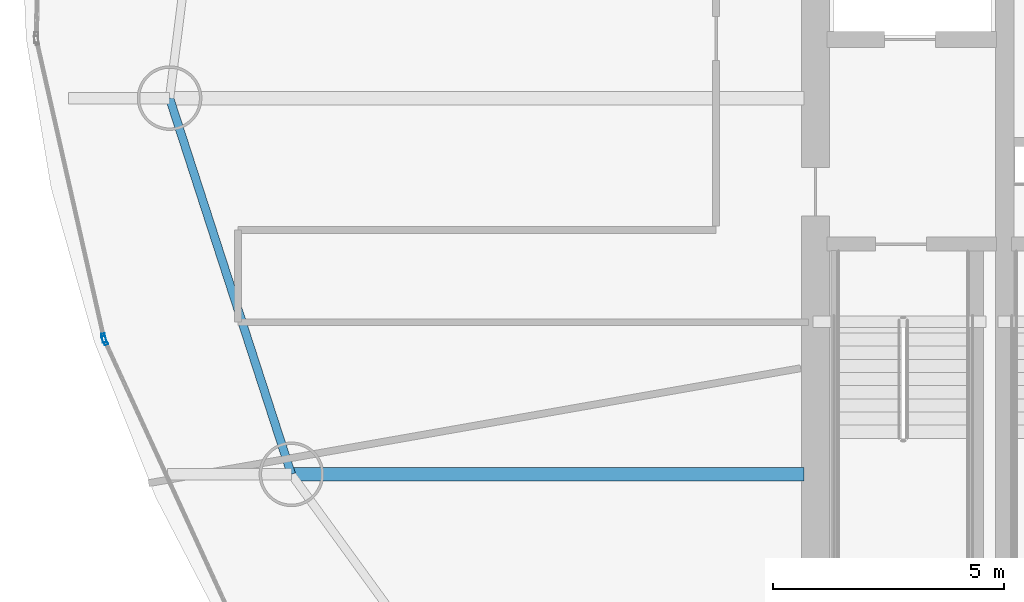
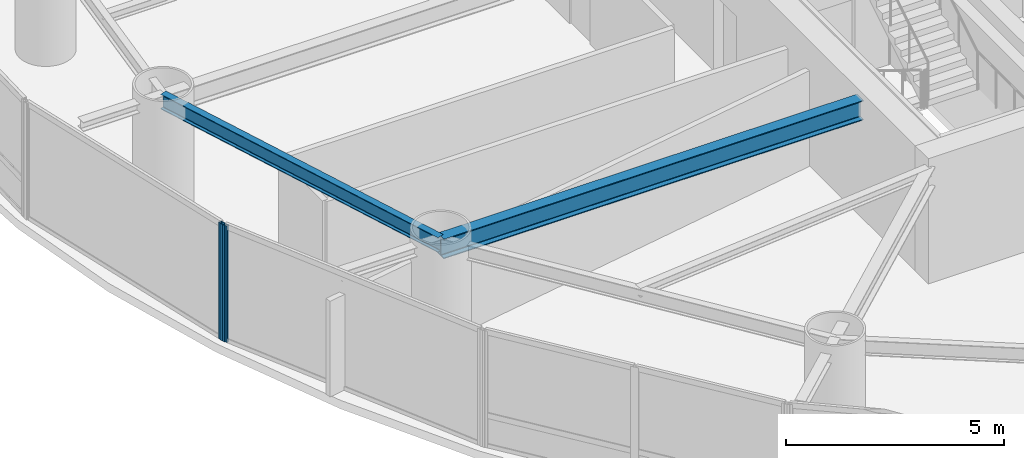
# One storey, part 5 of 20: 2 beams, 2 members, 2 elements without a shape of their own.
"""IFC4 building model written with IfcOpenShell, lengths in metres."""

from ifc_helpers import new_model, si_unit, direction, frame, origin, origin_2d, place, context, subcontext, project, spatial, hollow_rectangle, i_section, extrude, material, layer, layer_set, material_profile, profile_set, type_object, element, aggregate, save


model = new_model("IFC4")

# Units and contexts
model_context = context("Model", 3, precision=1e-05, world=origin(), true_north=direction((0.0, 1.0)))
body_context = subcontext(model_context, "Body", "Model", "MODEL_VIEW")
ifc_project = project(units=[si_unit("LENGTHUNIT", "METRE"), si_unit("AREAUNIT", "SQUARE_METRE"), si_unit("VOLUMEUNIT", "CUBIC_METRE"), si_unit("PLANEANGLEUNIT", "RADIAN"), si_unit("MASSUNIT", "GRAM", prefix="KILO")], contexts=[model_context])

# Site, building, storey
site_placement = place(None, origin())
site = spatial("IfcSite", under=ifc_project, at=site_placement, CompositionType="ELEMENT")
building_placement = place(site_placement, origin())
building = spatial("IfcBuilding", under=site, at=building_placement, Name="Bramvorn Convention Spire", CompositionType="ELEMENT")
storey_placement = place(building_placement, frame((0.0, 0.0, 155.300048828125)))
storey = spatial("IfcBuildingStorey", under=building, at=storey_placement, Name="L39", CompositionType="ELEMENT", Elevation=155.300048828125)

# Beams
ifc_material_1 = material(Name="Steel CSA G40.21 Grade 350 (350W)", Category="steel")
ifc_material_profile_1 = material_profile(ifc_material_1, i_section(OverallWidth=0.180908203125, OverallDepth=0.4169921875, WebThickness=0.010986328125, FlangeThickness=0.018310546875, FilletRadius=0.01611328125, at=origin_2d()))
ifc_profile_set_1 = profile_set([ifc_material_profile_1], Name="Steel CSA G40.21 Grade 350 (350W) - W410X85")
beam_type_1 = type_object("IfcBeamType", Name="BM-W410X85", PredefinedType="JOIST", material=ifc_profile_set_1)
beam_1_placement = place(storey_placement, frame((13.016357421875, 29.851806640625, 3.051513671875), z_axis=(0.308114853612, -0.951349166701, 0.0), x_axis=(0.951349166701, 0.308114853612, 0.0)))
element("IfcBeam", 1, at=beam_1_placement, inside=storey, type_object=beam_type_1, Name="L39 mega-column ring beam 10", PredefinedType="JOIST", context=body_context, shape_type="SweptSolid", body=[
    extrude(i_section(OverallWidth=0.180908203125, OverallDepth=0.4169921875, WebThickness=0.010986328125, FlangeThickness=0.018310546875, FilletRadius=0.01611328125, at=origin_2d()), origin(), (0.0, 0.0, 1.0), 8.5615234375),
])
ifc_material_profile_2 = material_profile(ifc_material_1, i_section(OverallWidth=0.2919921875, OverallDepth=0.551025390625, WebThickness=0.01513671875, FlangeThickness=0.0244140625, FilletRadius=0.01904296875, at=origin_2d()))
ifc_profile_set_2 = profile_set([ifc_material_profile_2], Name="Steel CSA G40.21 Grade 350 (350W) - W530X182")
beam_type_2 = type_object("IfcBeamType", Name="BM-W530X182", PredefinedType="BEAM", material=ifc_profile_set_2)
beam_2_placement = place(storey_placement, frame((26.75, 21.706787109375, 2.984375), z_axis=(-1.0, 0.0, 0.0), x_axis=(0.0, -1.0, 0.0)))
element("IfcBeam", 2, at=beam_2_placement, inside=storey, type_object=beam_type_2, Name="L39 radial floor girder MC11", PredefinedType="BEAM", context=body_context, shape_type="SweptSolid", body=[
    extrude(i_section(OverallWidth=0.2919921875, OverallDepth=0.551025390625, WebThickness=0.01513671875, FlangeThickness=0.0244140625, FilletRadius=0.01904296875, at=origin_2d()), origin(), (0.0, 0.0, 1.0), 11.095703125),
])

# Curtain wall, member
ifc_material_2 = material(Name="Anodised Bronze Unitised Curtain Wall", Category="aluminium")
ifc_layer = layer(ifc_material_2, 0.179931640625)
ifc_layer_set = layer_set([ifc_layer], Name="Anodised Bronze Unitised Curtain Wall - CW-HTL-FRIT")
curtain_wall_type = type_object("IfcCurtainWallType", Name="CW-HTL-FRIT", PredefinedType="USERDEFINED", material=ifc_layer_set)
curtain_wall_1_placement = place(storey_placement, origin())
curtain_wall_1 = element("IfcCurtainWall", 3, at=curtain_wall_1_placement, inside=storey, type_object=curtain_wall_type, Name="L39 fritted glass curtain wall 15", ObjectType="UNITISED CURTAIN WALL", PredefinedType="USERDEFINED")
ifc_material_3 = material(Name="Anodised Bronze Aluminium 6063-T6", Category="aluminium")
ifc_material_profile_3 = material_profile(ifc_material_3, hollow_rectangle(XDim=0.080078125, YDim=0.199951171875, WallThickness=0.00390625, InnerFilletRadius=0.0009765625, OuterFilletRadius=0.00390625, at=origin_2d()))
ifc_profile_set_3 = profile_set([ifc_material_profile_3], Name="Anodised Bronze Aluminium 6063-T6 - CWM80X200")
member_type = type_object("IfcMemberType", Name="CW-MUL-180", PredefinedType="MULLION", material=ifc_profile_set_3)
member_1_placement = place(storey_placement, frame((11.592529296875, 24.65869140625, 0.0), z_axis=(0.0, 0.0, 1.0), x_axis=(-0.975392313454, -0.220476381627, 0.0)))
member_1 = element("IfcMember", 4, at=member_1_placement, type_object=member_type, Name="CW2 mullion 1", PredefinedType="MULLION", context=body_context, shape_type="SweptSolid", body=[
    extrude(hollow_rectangle(XDim=0.080078125, YDim=0.199951171875, WallThickness=0.00390625, InnerFilletRadius=0.0009765625, OuterFilletRadius=0.00390625, at=origin_2d()), origin(), (0.0, 0.0, 1.0), 3.260009765625),
])
aggregate(curtain_wall_1, [member_1])

curtain_wall_2_placement = place(storey_placement, origin())
curtain_wall_2 = element("IfcCurtainWall", 5, at=curtain_wall_2_placement, inside=storey, type_object=curtain_wall_type, Name="L39 fritted glass curtain wall 16", ObjectType="UNITISED CURTAIN WALL", PredefinedType="USERDEFINED")
member_2_placement = place(storey_placement, frame((11.61181640625, 24.602294921875, 0.0), z_axis=(0.0, 0.0, 1.0), x_axis=(-0.909057247601, -0.416671238009, 0.0)))
member_2 = element("IfcMember", 6, at=member_2_placement, type_object=member_type, Name="CW2 mullion 2", PredefinedType="MULLION", context=body_context, shape_type="SweptSolid", body=[
    extrude(hollow_rectangle(XDim=0.080078125, YDim=0.199951171875, WallThickness=0.00390625, InnerFilletRadius=0.0009765625, OuterFilletRadius=0.00390625, at=origin_2d()), origin(), (0.0, 0.0, 1.0), 3.260009765625),
])
aggregate(curtain_wall_2, [member_2])

save(model, "model.ifc")
